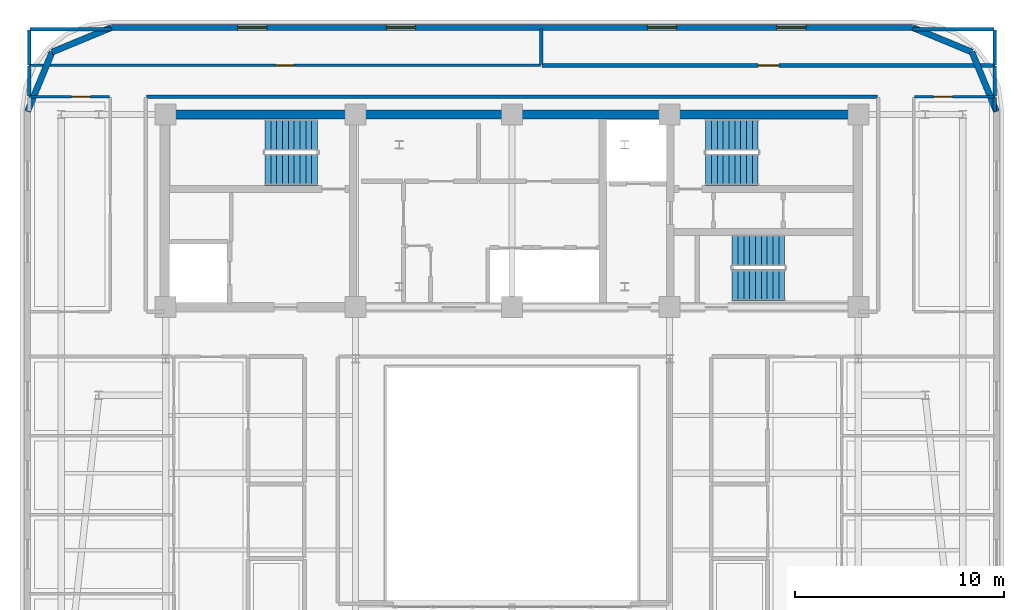
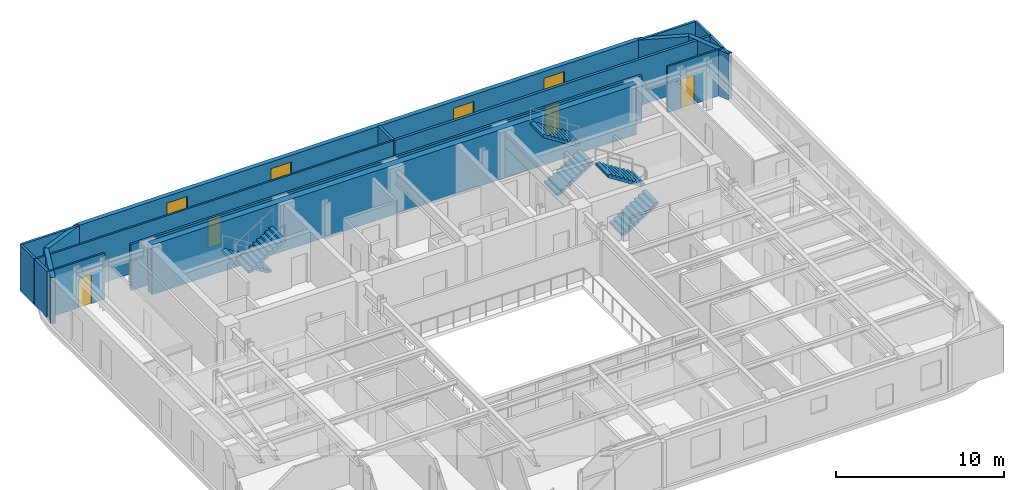
# One storey, part 10 of 14: 19 walls, 6 stair flights, 4 doors, 4 windows, 8 openings, 3 elements without a shape of their own.
"""IFC4 building model written with IfcOpenShell, lengths in metres."""

from ifc_helpers import new_model, si_unit, direction, frame, frame_2d, origin, place, context, subcontext, project, spatial, polyline, rectangle, outline, extrude, material, layer, layer_set, type_object, element, fill, aggregate, save


model = new_model("IFC4")

# Units and contexts
model_context = context("Model", 3, precision=1e-05, world=origin(), true_north=direction((0.0, 1.0)))
body_context = subcontext(model_context, "Body", "Model", "MODEL_VIEW")
ifc_project = project(units=[si_unit("LENGTHUNIT", "METRE"), si_unit("AREAUNIT", "SQUARE_METRE"), si_unit("VOLUMEUNIT", "CUBIC_METRE"), si_unit("PLANEANGLEUNIT", "RADIAN"), si_unit("MASSUNIT", "GRAM", prefix="KILO")], contexts=[model_context])

# Site, building, storey
site_placement = place(None, origin())
site = spatial("IfcSite", under=ifc_project, at=site_placement, CompositionType="ELEMENT")
building_placement = place(site_placement, origin())
building = spatial("IfcBuilding", under=site, at=building_placement, Name="Zarnavel Station Tower", CompositionType="ELEMENT")
storey_placement = place(building_placement, frame((0.0, 0.0, 229.199951171875)))
storey = spatial("IfcBuildingStorey", under=building, at=storey_placement, Name="L62", CompositionType="ELEMENT", Elevation=229.199951171875)

# Walls
ifc_material_1 = material(Name="Concrete C50/60", Category="concrete")
ifc_layer_1 = layer(ifc_material_1, 0.449951171875)
ifc_layer_set_1 = layer_set([ifc_layer_1], Name="CW_450")
wall_type_1 = type_object("IfcWallType", Name="CW_450", PredefinedType="SHEAR", material=ifc_layer_set_1)
wall_1_placement = place(storey_placement, frame((12.14990234375, 37.050048828125, 0.0), z_axis=(0.0, 0.0, 1.0), x_axis=(1.0, 0.0, 0.0)))
element("IfcWall", 1, at=wall_1_placement, inside=storey, type_object=wall_type_1, Name="L62 Rear Core Shear Wall N", PredefinedType="SHEAR", context=body_context, shape_type="SweptSolid", body=[
    extrude(rectangle(XDim=33.22998046875, YDim=0.449951171875, at=frame_2d((16.614990234375, 0.0))), origin(), (0.0, 0.0, 1.0), 3.60009765625),
])
ifc_material_2 = material(Name="Precast concrete C45/55 (Dark Basalt Finish)", Category="masonry")
ifc_layer_2 = layer(ifc_material_2, 0.300048828125)
ifc_layer_set_2 = layer_set([ifc_layer_2], Name="EW_BASALT_300")
wall_type_2 = type_object("IfcWallType", Name="EW_BASALT_300", PredefinedType="SOLIDWALL", material=ifc_layer_set_2)
for number, where, z_axis, x_axis, name in (
    (2, (50.842529296875, 40.04248046875, 0.0), (0.0, 0.0, 1.0), (0.382704529509, -0.923870793506, 0.0), "L62 Exterior Basalt Masonry Frame Wall 04"),
    (3, (48.0, 41.219970703125, 0.0), (0.0, 0.0, 1.0), (0.923870793506, -0.382704529509, 0.0), "L62 Exterior Basalt Masonry Frame Wall 05"),
):
    element("IfcWall", number, at=place(storey_placement, frame(where, z_axis=z_axis, x_axis=x_axis)), inside=storey, type_object=wall_type_2, Name=name, PredefinedType="SOLIDWALL", context=body_context, shape_type="SweptSolid", body=[
        extrude(rectangle(XDim=3.07666015625, YDim=0.300048828125, at=frame_2d((1.538330078125, 0.0))), origin(), (0.0, 0.0, 1.0), 3.340087890625),
    ])

# Wall, openings, windows
wall_2_placement = place(storey_placement, frame((9.60009765625, 41.219970703125, 0.0), z_axis=(0.0, 0.0, 1.0), x_axis=(1.0, 0.0, 0.0)))
wall_2 = element("IfcWall", 4, at=wall_2_placement, inside=storey, type_object=wall_type_2, Name="L62 Exterior Basalt Masonry Frame Wall 06", PredefinedType="SOLIDWALL", context=body_context, shape_type="SweptSolid", body=[
    extrude(rectangle(XDim=38.39990234375, YDim=0.300048828125, at=frame_2d((19.199951171875, 0.0))), origin(), (0.0, 0.0, 1.0), 3.340087890625),
])
opening_1_placement = place(wall_2_placement, frame((6.046630859375, 0.0, 0.75)))
opening_1 = element("IfcOpeningElement", 5, at=opening_1_placement, cuts=wall_2, Name="Opening WN04", PredefinedType="OPENING", context=body_context, shape_type="SweptSolid", body=[
    extrude(rectangle(XDim=1.39990234375, YDim=2.10009765625, at=frame_2d((0.699951171875, 1.050048828125))), frame((0.0, 0.159912109375, 0.0), z_axis=(0.0, -1.0, 0.0), x_axis=(1.0, 0.0, 0.0)), (0.0, 0.0, 1.0), 0.320068359375),
])
opening_2_placement = place(wall_2_placement, frame((13.17333984375, 0.0, 0.75)))
opening_2 = element("IfcOpeningElement", 6, at=opening_2_placement, cuts=wall_2, Name="Opening WN04", PredefinedType="OPENING", context=body_context, shape_type="SweptSolid", body=[
    extrude(rectangle(XDim=1.39990234375, YDim=2.10009765625, at=frame_2d((0.699951171875, 1.050048828125))), frame((0.0, 0.159912109375, 0.0), z_axis=(0.0, -1.0, 0.0), x_axis=(1.0, 0.0, 0.0)), (0.0, 0.0, 1.0), 0.320068359375),
])
opening_3_placement = place(wall_2_placement, frame((25.693359375, 0.0, 0.75)))
opening_3 = element("IfcOpeningElement", 7, at=opening_3_placement, cuts=wall_2, Name="Opening WN04", PredefinedType="OPENING", context=body_context, shape_type="SweptSolid", body=[
    extrude(rectangle(XDim=1.39990234375, YDim=2.10009765625, at=frame_2d((0.699951171875, 1.050048828125))), frame((0.0, 0.159912109375, 0.0), z_axis=(0.0, -1.0, 0.0), x_axis=(1.0, 0.0, 0.0)), (0.0, 0.0, 1.0), 0.320068359375),
])
opening_4_placement = place(wall_2_placement, frame((31.88671875, 0.0, 0.75)))
opening_4 = element("IfcOpeningElement", 8, at=opening_4_placement, cuts=wall_2, Name="Opening WN04", PredefinedType="OPENING", context=body_context, shape_type="SweptSolid", body=[
    extrude(rectangle(XDim=1.39990234375, YDim=2.10009765625, at=frame_2d((0.699951171875, 1.050048828125))), frame((0.0, 0.159912109375, 0.0), z_axis=(0.0, -1.0, 0.0), x_axis=(1.0, 0.0, 0.0)), (0.0, 0.0, 1.0), 0.320068359375),
])
ifc_material_3 = material(Name="Thermally Broken Black Aluminium and Low-E Dark Glass", Category="aluminium")
window_type = type_object("IfcWindowType", Name="WN_1400x2100", PartitioningType="DOUBLE_PANEL_VERTICAL", PredefinedType="WINDOW", material=ifc_material_3)
window_1_placement = place(opening_1_placement, origin())
window_1 = element("IfcWindow", 9, at=window_1_placement, inside=storey, type_object=window_type, Name="L62 Recessed Facade Window 01", OverallHeight=2.10009765625, OverallWidth=1.39990234375, PartitioningType="SINGLE_PANEL", PredefinedType="WINDOW", context=body_context, shape_type="SweptSolid", body=[
    extrude(rectangle(XDim=1.39990234375, YDim=2.10009765625, at=frame_2d((0.699951171875, 1.050048828125))), frame((0.0, 0.030029296875, 0.0), z_axis=(0.0, -1.0, 0.0), x_axis=(1.0, 0.0, 0.0)), (0.0, 0.0, 1.0), 0.06005859375),
])
fill(opening_1, window_1)
window_2_placement = place(opening_2_placement, origin())
window_2 = element("IfcWindow", 10, at=window_2_placement, inside=storey, type_object=window_type, Name="L62 Recessed Facade Window 02", OverallHeight=2.10009765625, OverallWidth=1.39990234375, PartitioningType="SINGLE_PANEL", PredefinedType="WINDOW", context=body_context, shape_type="SweptSolid", body=[
    extrude(rectangle(XDim=1.39990234375, YDim=2.10009765625, at=frame_2d((0.699951171875, 1.050048828125))), frame((0.0, 0.030029296875, 0.0), z_axis=(0.0, -1.0, 0.0), x_axis=(1.0, 0.0, 0.0)), (0.0, 0.0, 1.0), 0.06005859375),
])
fill(opening_2, window_2)
window_3_placement = place(opening_3_placement, origin())
window_3 = element("IfcWindow", 11, at=window_3_placement, inside=storey, type_object=window_type, Name="L62 Recessed Facade Window 03", OverallHeight=2.10009765625, OverallWidth=1.39990234375, PartitioningType="SINGLE_PANEL", PredefinedType="WINDOW", context=body_context, shape_type="SweptSolid", body=[
    extrude(rectangle(XDim=1.39990234375, YDim=2.10009765625, at=frame_2d((0.699951171875, 1.050048828125))), frame((0.0, 0.030029296875, 0.0), z_axis=(0.0, -1.0, 0.0), x_axis=(1.0, 0.0, 0.0)), (0.0, 0.0, 1.0), 0.06005859375),
])
fill(opening_3, window_3)
window_4_placement = place(opening_4_placement, origin())
window_4 = element("IfcWindow", 12, at=window_4_placement, inside=storey, type_object=window_type, Name="L62 Recessed Facade Window 04", OverallHeight=2.10009765625, OverallWidth=1.39990234375, PartitioningType="SINGLE_PANEL", PredefinedType="WINDOW", context=body_context, shape_type="SweptSolid", body=[
    extrude(rectangle(XDim=1.39990234375, YDim=2.10009765625, at=frame_2d((0.699951171875, 1.050048828125))), frame((0.0, 0.030029296875, 0.0), z_axis=(0.0, -1.0, 0.0), x_axis=(1.0, 0.0, 0.0)), (0.0, 0.0, 1.0), 0.06005859375),
])
fill(opening_4, window_4)

# Walls
wall_3_placement = place(storey_placement, frame((6.75732421875, 40.04248046875, 0.0), z_axis=(0.0, 0.0, 1.0), x_axis=(0.923882414032, 0.382676475685, 0.0)))
element("IfcWall", 13, at=wall_3_placement, inside=storey, type_object=wall_type_2, Name="L62 Exterior Basalt Masonry Frame Wall 07", PredefinedType="SOLIDWALL", context=body_context, shape_type="SweptSolid", body=[
    extrude(rectangle(XDim=3.076904296875, YDim=0.300048828125, at=frame_2d((1.53857421875, 0.0))), origin(), (0.0, 0.0, 1.0), 3.340087890625),
])
wall_4_placement = place(storey_placement, frame((5.580078125, 37.199951171875, 0.0), z_axis=(0.0, 0.0, 1.0), x_axis=(0.382636798336, 0.92389884758, 0.0)))
element("IfcWall", 14, at=wall_4_placement, inside=storey, type_object=wall_type_2, Name="L62 Exterior Basalt Masonry Frame Wall 08", PredefinedType="SOLIDWALL", context=body_context, shape_type="SweptSolid", body=[
    extrude(rectangle(XDim=3.07666015625, YDim=0.300048828125, at=frame_2d((1.538330078125, 0.0))), origin(), (0.0, 0.0, 1.0), 3.340087890625),
])
ifc_material_4 = material(Name="Gypsum Twin-Stud Acoustic Fire Partition", Category="concrete")
ifc_layer_3 = layer(ifc_material_4, 0.159912109375)
ifc_layer_set_3 = layer_set([ifc_layer_3], Name="PT_DEMISE_160")
wall_type_3 = type_object("IfcWallType", Name="PT_DEMISE_160", PredefinedType="PARTITIONING", material=ifc_layer_set_3)
wall_5_placement = place(storey_placement, frame((11.280029296875, 37.89990234375, 0.0), z_axis=(0.0, 0.0, 1.0), x_axis=(1.0, 0.0, 0.0)))
element("IfcWall", 15, at=wall_5_placement, inside=storey, type_object=wall_type_3, Name="L62 Enclosure Wall COR-N", PredefinedType="PARTITIONING", context=body_context, shape_type="SweptSolid", body=[
    extrude(rectangle(XDim=35.0400390625, YDim=0.159912109375, at=frame_2d((17.52001953125, 0.0))), origin(), (0.0, 0.0, 1.0), 3.340087890625),
])
for number, where, z_axis, x_axis, name in (
    (16, (5.659912109375, 37.929931640625, 0.0), (0.0, 0.0, 1.0), (0.0, 1.0, 0.0), "L62 Enclosure Wall COR-N"),
    (17, (51.93994140625, 37.929931640625, 0.0), (0.0, 0.0, 1.0), (0.0, 1.0, 0.0), "L62 Enclosure Wall COR-N"),
):
    element("IfcWall", number, at=place(storey_placement, frame(where, z_axis=z_axis, x_axis=x_axis)), inside=storey, type_object=wall_type_3, Name=name, PredefinedType="PARTITIONING", context=body_context, shape_type="SweptSolid", body=[
        extrude(rectangle(XDim=1.440185546875, YDim=0.159912109375, at=frame_2d((0.72021484375, 0.0))), origin(), (0.0, 0.0, 1.0), 3.340087890625),
    ])
wall_6_placement = place(storey_placement, frame((51.93994140625, 37.22998046875, 0.0), z_axis=(0.0, 0.0, 1.0), x_axis=(0.0, 1.0, 0.0)))
element("IfcWall", 18, at=wall_6_placement, inside=storey, type_object=wall_type_3, Name="L62 Enclosure Wall FNE", PredefinedType="PARTITIONING", context=body_context, shape_type="SweptSolid", body=[
    extrude(rectangle(XDim=0.64013671875, YDim=0.159912109375, at=frame_2d((0.320068359375, 0.0))), origin(), (0.0, 0.0, 1.0), 3.340087890625),
])
wall_7_placement = place(storey_placement, frame((5.68994140625, 41.139892578125, 0.0), z_axis=(0.0, 0.0, 1.0), x_axis=(1.0, 0.0, 0.0)))
element("IfcWall", 19, at=wall_7_placement, inside=storey, type_object=wall_type_3, Name="L62 Enclosure Wall NLOU", PredefinedType="PARTITIONING", context=body_context, shape_type="SweptSolid", body=[
    extrude(rectangle(XDim=3.880126953125, YDim=0.159912109375, at=frame_2d((1.93994140625, 0.0))), origin(), (0.0, 0.0, 1.0), 3.340087890625),
])
wall_8_placement = place(storey_placement, frame((5.659912109375, 39.429931640625, 0.0), z_axis=(0.0, 0.0, 1.0), x_axis=(0.0, 1.0, 0.0)))
element("IfcWall", 20, at=wall_8_placement, inside=storey, type_object=wall_type_3, Name="L62 Enclosure Wall NLOU", PredefinedType="PARTITIONING", context=body_context, shape_type="SweptSolid", body=[
    extrude(rectangle(XDim=1.68017578125, YDim=0.159912109375, at=frame_2d((0.840087890625, 0.0))), origin(), (0.0, 0.0, 1.0), 3.340087890625),
])
wall_9_placement = place(storey_placement, frame((48.030029296875, 41.139892578125, 0.0), z_axis=(0.0, 0.0, 1.0), x_axis=(1.0, 0.0, 0.0)))
element("IfcWall", 21, at=wall_9_placement, inside=storey, type_object=wall_type_3, Name="L62 Enclosure Wall NPAN", PredefinedType="PARTITIONING", context=body_context, shape_type="SweptSolid", body=[
    extrude(rectangle(XDim=3.8798828125, YDim=0.159912109375, at=frame_2d((1.93994140625, 0.0))), origin(), (0.0, 0.0, 1.0), 3.340087890625),
])
wall_10_placement = place(storey_placement, frame((51.93994140625, 39.429931640625, 0.0), z_axis=(0.0, 0.0, 1.0), x_axis=(0.0, 1.0, 0.0)))
element("IfcWall", 22, at=wall_10_placement, inside=storey, type_object=wall_type_3, Name="L62 Enclosure Wall NPAN", PredefinedType="PARTITIONING", context=body_context, shape_type="SweptSolid", body=[
    extrude(rectangle(XDim=1.68017578125, YDim=0.159912109375, at=frame_2d((0.840087890625, 0.0))), origin(), (0.0, 0.0, 1.0), 3.340087890625),
])

# Wall, opening, door
ifc_material_5 = material(Name="Gypsum Metal-Stud Interior Partition", Category="concrete")
ifc_layer_4 = layer(ifc_material_5, 0.1201171875)
ifc_layer_set_4 = layer_set([ifc_layer_4], Name="PT_ROOM_120")
wall_type_4 = type_object("IfcWallType", Name="PT_ROOM_120", PredefinedType="PARTITIONING", material=ifc_layer_set_4)
wall_11_placement = place(storey_placement, frame((5.659912109375, 37.89990234375, 0.0), z_axis=(0.0, 0.0, 1.0), x_axis=(1.0, 0.0, 0.0)))
wall_11 = element("IfcWall", 23, at=wall_11_placement, inside=storey, type_object=wall_type_4, Name="L62 Partition COR-N-FNW", PredefinedType="PARTITIONING", context=body_context, shape_type="SweptSolid", body=[
    extrude(rectangle(XDim=3.85009765625, YDim=0.1201171875, at=frame_2d((1.925048828125, 0.0))), origin(), (0.0, 0.0, 1.0), 3.340087890625),
])
opening_5_placement = place(wall_11_placement, frame((2.03125, 0.0, 0.0)))
opening_5 = element("IfcOpeningElement", 24, at=opening_5_placement, cuts=wall_11, Name="Opening ID01", PredefinedType="OPENING", context=body_context, shape_type="SweptSolid", body=[
    extrude(rectangle(XDim=0.89990234375, YDim=2.10009765625, at=frame_2d((0.449951171875, 1.050048828125))), frame((0.0, 0.070068359375, 0.0), z_axis=(0.0, -1.0, 0.0), x_axis=(1.0, 0.0, 0.0)), (0.0, 0.0, 1.0), 0.14013671875),
])
ifc_material_6 = material(Name="Painted Galvanised Steel and Hardwood Leaf", Category="steel")
door_type_1 = type_object("IfcDoorType", Name="ID_ROOM_900", OperationType="NOTDEFINED", PredefinedType="DOOR", material=ifc_material_6)
door_1_placement = place(opening_5_placement, origin())
door_1 = element("IfcDoor", 25, at=door_1_placement, inside=storey, type_object=door_type_1, Name="L62 Door COR-N-FNW", OperationType="SINGLE_SWING_RIGHT", OverallHeight=2.10009765625, OverallWidth=0.89990234375, PredefinedType="DOOR", context=body_context, shape_type="SweptSolid", body=[
    extrude(rectangle(XDim=0.89990234375, YDim=2.10009765625, at=frame_2d((0.449951171875, 1.050048828125))), frame((0.0, 0.02490234375, 0.0), z_axis=(0.0, -1.0, 0.0), x_axis=(1.0, 0.0, 0.0)), (0.0, 0.0, 1.0), 0.050048828125),
])
fill(opening_5, door_1)

wall_12_placement = place(storey_placement, frame((48.090087890625, 37.89990234375, 0.0), z_axis=(0.0, 0.0, 1.0), x_axis=(1.0, 0.0, 0.0)))
wall_12 = element("IfcWall", 26, at=wall_12_placement, inside=storey, type_object=wall_type_4, Name="L62 Partition COR-N-FNE", PredefinedType="PARTITIONING", context=body_context, shape_type="SweptSolid", body=[
    extrude(rectangle(XDim=3.849853515625, YDim=0.1201171875, at=frame_2d((1.9248046875, 0.0))), origin(), (0.0, 0.0, 1.0), 3.340087890625),
])
opening_6_placement = place(wall_12_placement, frame((0.918701171875, 0.0, 0.0)))
opening_6 = element("IfcOpeningElement", 27, at=opening_6_placement, cuts=wall_12, Name="Opening ID01", PredefinedType="OPENING", context=body_context, shape_type="SweptSolid", body=[
    extrude(rectangle(XDim=0.89990234375, YDim=2.10009765625, at=frame_2d((0.449951171875, 1.050048828125))), frame((0.0, 0.070068359375, 0.0), z_axis=(0.0, -1.0, 0.0), x_axis=(1.0, 0.0, 0.0)), (0.0, 0.0, 1.0), 0.14013671875),
])
door_2_placement = place(opening_6_placement, origin())
door_2 = element("IfcDoor", 28, at=door_2_placement, inside=storey, type_object=door_type_1, Name="L62 Door COR-N-FNE", OperationType="SINGLE_SWING_LEFT", OverallHeight=2.10009765625, OverallWidth=0.89990234375, PredefinedType="DOOR", context=body_context, shape_type="SweptSolid", body=[
    extrude(rectangle(XDim=0.89990234375, YDim=2.10009765625, at=frame_2d((0.449951171875, 1.050048828125))), frame((0.0, 0.02490234375, 0.0), z_axis=(0.0, -1.0, 0.0), x_axis=(1.0, 0.0, 0.0)), (0.0, 0.0, 1.0), 0.050048828125),
])
fill(opening_6, door_2)

wall_13_placement = place(storey_placement, frame((5.659912109375, 39.39990234375, 0.0), z_axis=(0.0, 0.0, 1.0), x_axis=(1.0, 0.0, 0.0)))
wall_13 = element("IfcWall", 29, at=wall_13_placement, inside=storey, type_object=wall_type_4, Name="L62 Partition COR-N-NLOU", PredefinedType="PARTITIONING", context=body_context, shape_type="SweptSolid", body=[
    extrude(rectangle(XDim=24.5, YDim=0.1201171875, at=frame_2d((12.25, 0.0))), origin(), (0.0, 0.0, 1.0), 3.340087890625),
])
opening_7_placement = place(wall_13_placement, frame((11.800048828125, 0.0, 0.0)))
opening_7 = element("IfcOpeningElement", 30, at=opening_7_placement, cuts=wall_13, Name="Opening ID01", PredefinedType="OPENING", context=body_context, shape_type="SweptSolid", body=[
    extrude(rectangle(XDim=0.89990234375, YDim=2.10009765625, at=frame_2d((0.449951171875, 1.050048828125))), frame((0.0, 0.070068359375, 0.0), z_axis=(0.0, -1.0, 0.0), x_axis=(1.0, 0.0, 0.0)), (0.0, 0.0, 1.0), 0.14013671875),
])
door_3_placement = place(opening_7_placement, origin())
door_3 = element("IfcDoor", 31, at=door_3_placement, inside=storey, type_object=door_type_1, Name="L62 Door COR-N-NLOU", OperationType="SINGLE_SWING_RIGHT", OverallHeight=2.10009765625, OverallWidth=0.89990234375, PredefinedType="DOOR", context=body_context, shape_type="SweptSolid", body=[
    extrude(rectangle(XDim=0.89990234375, YDim=2.10009765625, at=frame_2d((0.449951171875, 1.050048828125))), frame((0.0, 0.02490234375, 0.0), z_axis=(0.0, -1.0, 0.0), x_axis=(1.0, 0.0, 0.0)), (0.0, 0.0, 1.0), 0.050048828125),
])
fill(opening_7, door_3)

ifc_material_7 = material(Name="Moisture-Resistant Plumbing Chase Wall", Category="concrete")
ifc_layer_5 = layer(ifc_material_7, 0.179931640625)
ifc_layer_set_5 = layer_set([ifc_layer_5], Name="PW_PLUMB_180")
wall_type_5 = type_object("IfcWallType", Name="PW_PLUMB_180", PredefinedType="PLUMBINGWALL", material=ifc_layer_set_5)
wall_14_placement = place(storey_placement, frame((30.239990234375, 39.39990234375, 0.0), z_axis=(0.0, 0.0, 1.0), x_axis=(1.0, 0.0, 0.0)))
wall_14 = element("IfcWall", 32, at=wall_14_placement, inside=storey, type_object=wall_type_5, Name="L62 Partition COR-N-NPAN", PredefinedType="PLUMBINGWALL", context=body_context, shape_type="SweptSolid", body=[
    extrude(rectangle(XDim=21.699951171875, YDim=0.179931640625, at=frame_2d((10.85009765625, 0.0))), origin(), (0.0, 0.0, 1.0), 3.340087890625),
])
opening_8_placement = place(wall_14_placement, frame((10.35009765625, 0.0, 0.0)))
opening_8 = element("IfcOpeningElement", 33, at=opening_8_placement, cuts=wall_14, Name="Opening FD02", PredefinedType="OPENING", context=body_context, shape_type="SweptSolid", body=[
    extrude(rectangle(XDim=1.0, YDim=2.14990234375, at=frame_2d((0.5, 1.074951171875))), frame((0.0, 0.099853515625, 0.0), z_axis=(0.0, -1.0, 0.0), x_axis=(1.0, 0.0, 0.0)), (0.0, 0.0, 1.0), 0.199951171875),
])
ifc_material_8 = material(Name="Painted Galvanised Steel and Hardwood Leaf", Category="steel")
door_type_2 = type_object("IfcDoorType", Name="ID_ENTRY_1000", OperationType="NOTDEFINED", PredefinedType="DOOR", material=ifc_material_8)
door_4_placement = place(opening_8_placement, origin())
door_4 = element("IfcDoor", 34, at=door_4_placement, inside=storey, type_object=door_type_2, Name="L62 Door COR-N-NPAN", OperationType="SINGLE_SWING_LEFT", OverallHeight=2.14990234375, OverallWidth=1.0, PredefinedType="DOOR", context=body_context, shape_type="SweptSolid", body=[
    extrude(rectangle(XDim=1.0, YDim=2.14990234375, at=frame_2d((0.5, 1.074951171875))), frame((0.0, 0.02490234375, 0.0), z_axis=(0.0, -1.0, 0.0), x_axis=(1.0, 0.0, 0.0)), (0.0, 0.0, 1.0), 0.050048828125),
])
fill(opening_8, door_4)

# Wall
wall_15_placement = place(storey_placement, frame((30.199951171875, 39.43994140625, 0.0), z_axis=(0.0, 0.0, 1.0), x_axis=(0.0, 1.0, 0.0)))
element("IfcWall", 35, at=wall_15_placement, inside=storey, type_object=wall_type_5, Name="L62 Partition NLOU-NPAN", PredefinedType="PLUMBINGWALL", context=body_context, shape_type="SweptSolid", body=[
    extrude(rectangle(XDim=1.699951171875, YDim=0.179931640625, at=frame_2d((0.85009765625, 0.0))), origin(), (0.0, 0.0, 1.0), 3.340087890625),
])

# Stair, stair flights
ifc_material_9 = material(Name="Concrete C45/55", Category="concrete")
stair_type = type_object("IfcStairType", Name="ST_CORE_150", PredefinedType="HALF_TURN_STAIR", material=ifc_material_9)
stair_1_placement = place(storey_placement, origin())
stair_1 = element("IfcStair", 36, at=stair_1_placement, inside=storey, type_object=stair_type, Name="L62 Core Exit Stair ST1", PredefinedType="HALF_TURN_STAIR")
ifc_material_10 = material(Name="Concrete C45/55", Category="concrete")
ifc_layer_6 = layer(ifc_material_10, 0.179931640625)
ifc_layer_set_6 = layer_set([ifc_layer_6], Name="ST_CORE_150_FLT")
stair_flight_type = type_object("IfcStairFlightType", Name="ST_CORE_150_FLT", PredefinedType="STRAIGHT", material=ifc_layer_set_6)
stair_flight_1_placement = place(storey_placement, frame((19.47998046875, 36.070068359375, 0.0), z_axis=(0.0, 0.0, 1.0), x_axis=(-1.0, 0.0, 0.0)))
stair_flight_1 = element("IfcStairFlight", 37, at=stair_flight_1_placement, type_object=stair_flight_type, Name="ST1 flight 1", NumberOfRisers=10, NumberOfTreads=9, PredefinedType="STRAIGHT", RiserHeight=0.18, TreadLength=0.28, context=body_context, shape_type="SweptSolid", body=[
    extrude(outline(polyline([(0.0, 0.0), (0.0, 0.179931640625), (0.280029296875, 0.179931640625), (0.280029296875, 0.360107421875), (0.56005859375, 0.360107421875), (0.56005859375, 0.5400390625), (0.840087890625, 0.5400390625), (0.840087890625, 0.719970703125), (1.1201171875, 0.719970703125), (1.1201171875, 0.89990234375), (1.39990234375, 0.89990234375), (1.39990234375, 1.080078125), (1.679931640625, 1.080078125), (1.679931640625, 1.260009765625), (1.9599609375, 1.260009765625), (1.9599609375, 1.43994140625), (2.239990234375, 1.43994140625), (2.239990234375, 1.6201171875), (2.52001953125, 1.6201171875), (2.52001953125, 1.800048828125), (2.52001953125, 1.44189453125), (0.277099609375, 0.0), (0.0, 0.0)])), frame((0.0, 0.75, 0.0), z_axis=(0.0, -1.0, 0.0), x_axis=(1.0, 0.0, 0.0)), (0.0, 0.0, 1.0), 1.5),
])
stair_flight_2_placement = place(storey_placement, frame((16.9599609375, 34.409912109375, 1.800048828125), z_axis=(0.0, 0.0, 1.0), x_axis=(1.0, 0.0, 0.0)))
stair_flight_2 = element("IfcStairFlight", 38, at=stair_flight_2_placement, type_object=stair_flight_type, Name="ST1 flight 2", NumberOfRisers=10, NumberOfTreads=9, PredefinedType="STRAIGHT", RiserHeight=0.18, TreadLength=0.28, context=body_context, shape_type="SweptSolid", body=[
    extrude(outline(polyline([(0.0, 0.0), (0.0, 0.179931640625), (0.280029296875, 0.179931640625), (0.280029296875, 0.360107421875), (0.56005859375, 0.360107421875), (0.56005859375, 0.5400390625), (0.840087890625, 0.5400390625), (0.840087890625, 0.719970703125), (1.1201171875, 0.719970703125), (1.1201171875, 0.89990234375), (1.39990234375, 0.89990234375), (1.39990234375, 1.080078125), (1.679931640625, 1.080078125), (1.679931640625, 1.260009765625), (1.9599609375, 1.260009765625), (1.9599609375, 1.43994140625), (2.239990234375, 1.43994140625), (2.239990234375, 1.6201171875), (2.52001953125, 1.6201171875), (2.52001953125, 1.800048828125), (2.52001953125, 1.44189453125), (0.277099609375, 0.0), (0.0, 0.0)])), frame((0.0, 0.75, 0.0), z_axis=(0.0, -1.0, 0.0), x_axis=(1.0, 0.0, 0.0)), (0.0, 0.0, 1.0), 1.5),
])
aggregate(stair_1, [stair_flight_1, stair_flight_2])

stair_2_placement = place(storey_placement, origin())
stair_2 = element("IfcStair", 39, at=stair_2_placement, inside=storey, type_object=stair_type, Name="L62 Core Exit Stair ST2", PredefinedType="HALF_TURN_STAIR")
stair_flight_3_placement = place(storey_placement, frame((38.080078125, 34.409912109375, 0.0), z_axis=(0.0, 0.0, 1.0), x_axis=(1.0, 0.0, 0.0)))
stair_flight_3 = element("IfcStairFlight", 40, at=stair_flight_3_placement, type_object=stair_flight_type, Name="ST2 flight 1", NumberOfRisers=10, NumberOfTreads=9, PredefinedType="STRAIGHT", RiserHeight=0.18, TreadLength=0.28, context=body_context, shape_type="SweptSolid", body=[
    extrude(outline(polyline([(0.0, 0.0), (0.0, 0.179931640625), (0.280029296875, 0.179931640625), (0.280029296875, 0.360107421875), (0.56005859375, 0.360107421875), (0.56005859375, 0.5400390625), (0.840087890625, 0.5400390625), (0.840087890625, 0.719970703125), (1.1201171875, 0.719970703125), (1.1201171875, 0.89990234375), (1.39990234375, 0.89990234375), (1.39990234375, 1.080078125), (1.679931640625, 1.080078125), (1.679931640625, 1.260009765625), (1.9599609375, 1.260009765625), (1.9599609375, 1.43994140625), (2.239990234375, 1.43994140625), (2.239990234375, 1.6201171875), (2.52001953125, 1.6201171875), (2.52001953125, 1.800048828125), (2.52001953125, 1.44189453125), (0.277099609375, 0.0), (0.0, 0.0)])), frame((0.0, 0.75, 0.0), z_axis=(0.0, -1.0, 0.0), x_axis=(1.0, 0.0, 0.0)), (0.0, 0.0, 1.0), 1.5),
])
stair_flight_4_placement = place(storey_placement, frame((40.60009765625, 36.070068359375, 1.800048828125), z_axis=(0.0, 0.0, 1.0), x_axis=(-1.0, 0.0, 0.0)))
stair_flight_4 = element("IfcStairFlight", 41, at=stair_flight_4_placement, type_object=stair_flight_type, Name="ST2 flight 2", NumberOfRisers=10, NumberOfTreads=9, PredefinedType="STRAIGHT", RiserHeight=0.18, TreadLength=0.28, context=body_context, shape_type="SweptSolid", body=[
    extrude(outline(polyline([(0.0, 0.0), (0.0, 0.179931640625), (0.280029296875, 0.179931640625), (0.280029296875, 0.360107421875), (0.56005859375, 0.360107421875), (0.56005859375, 0.5400390625), (0.840087890625, 0.5400390625), (0.840087890625, 0.719970703125), (1.1201171875, 0.719970703125), (1.1201171875, 0.89990234375), (1.39990234375, 0.89990234375), (1.39990234375, 1.080078125), (1.679931640625, 1.080078125), (1.679931640625, 1.260009765625), (1.9599609375, 1.260009765625), (1.9599609375, 1.43994140625), (2.239990234375, 1.43994140625), (2.239990234375, 1.6201171875), (2.52001953125, 1.6201171875), (2.52001953125, 1.800048828125), (2.52001953125, 1.44189453125), (0.277099609375, 0.0), (0.0, 0.0)])), frame((0.0, 0.75, 0.0), z_axis=(0.0, -1.0, 0.0), x_axis=(1.0, 0.0, 0.0)), (0.0, 0.0, 1.0), 1.5),
])
aggregate(stair_2, [stair_flight_3, stair_flight_4])

stair_3_placement = place(storey_placement, origin())
stair_3 = element("IfcStair", 42, at=stair_3_placement, inside=storey, type_object=stair_type, Name="L62 Core Exit Stair ST3", PredefinedType="HALF_TURN_STAIR")
stair_flight_5_placement = place(storey_placement, frame((39.35009765625, 28.8701171875, 0.0), z_axis=(0.0, 0.0, 1.0), x_axis=(1.0, 0.0, 0.0)))
stair_flight_5 = element("IfcStairFlight", 43, at=stair_flight_5_placement, type_object=stair_flight_type, Name="ST3 flight 1", NumberOfRisers=10, NumberOfTreads=9, PredefinedType="STRAIGHT", RiserHeight=0.18, TreadLength=0.28, context=body_context, shape_type="SweptSolid", body=[
    extrude(outline(polyline([(0.0, 0.0), (0.0, 0.179931640625), (0.280029296875, 0.179931640625), (0.280029296875, 0.360107421875), (0.56005859375, 0.360107421875), (0.56005859375, 0.5400390625), (0.840087890625, 0.5400390625), (0.840087890625, 0.719970703125), (1.1201171875, 0.719970703125), (1.1201171875, 0.89990234375), (1.39990234375, 0.89990234375), (1.39990234375, 1.080078125), (1.679931640625, 1.080078125), (1.679931640625, 1.260009765625), (1.9599609375, 1.260009765625), (1.9599609375, 1.43994140625), (2.239990234375, 1.43994140625), (2.239990234375, 1.6201171875), (2.52001953125, 1.6201171875), (2.52001953125, 1.800048828125), (2.52001953125, 1.44189453125), (0.277099609375, 0.0), (0.0, 0.0)])), frame((0.0, 0.75, 0.0), z_axis=(0.0, -1.0, 0.0), x_axis=(1.0, 0.0, 0.0)), (0.0, 0.0, 1.0), 1.5),
])
stair_flight_6_placement = place(storey_placement, frame((41.8701171875, 30.530029296875, 1.800048828125), z_axis=(0.0, 0.0, 1.0), x_axis=(-1.0, 0.0, 0.0)))
stair_flight_6 = element("IfcStairFlight", 44, at=stair_flight_6_placement, type_object=stair_flight_type, Name="ST3 flight 2", NumberOfRisers=10, NumberOfTreads=9, PredefinedType="STRAIGHT", RiserHeight=0.18, TreadLength=0.28, context=body_context, shape_type="SweptSolid", body=[
    extrude(outline(polyline([(0.0, 0.0), (0.0, 0.179931640625), (0.280029296875, 0.179931640625), (0.280029296875, 0.360107421875), (0.56005859375, 0.360107421875), (0.56005859375, 0.5400390625), (0.840087890625, 0.5400390625), (0.840087890625, 0.719970703125), (1.1201171875, 0.719970703125), (1.1201171875, 0.89990234375), (1.39990234375, 0.89990234375), (1.39990234375, 1.080078125), (1.679931640625, 1.080078125), (1.679931640625, 1.260009765625), (1.9599609375, 1.260009765625), (1.9599609375, 1.43994140625), (2.239990234375, 1.43994140625), (2.239990234375, 1.6201171875), (2.52001953125, 1.6201171875), (2.52001953125, 1.800048828125), (2.52001953125, 1.44189453125), (0.277099609375, 0.0), (0.0, 0.0)])), frame((0.0, 0.75, 0.0), z_axis=(0.0, -1.0, 0.0), x_axis=(1.0, 0.0, 0.0)), (0.0, 0.0, 1.0), 1.5),
])
aggregate(stair_3, [stair_flight_5, stair_flight_6])

save(model, "model.ifc")
